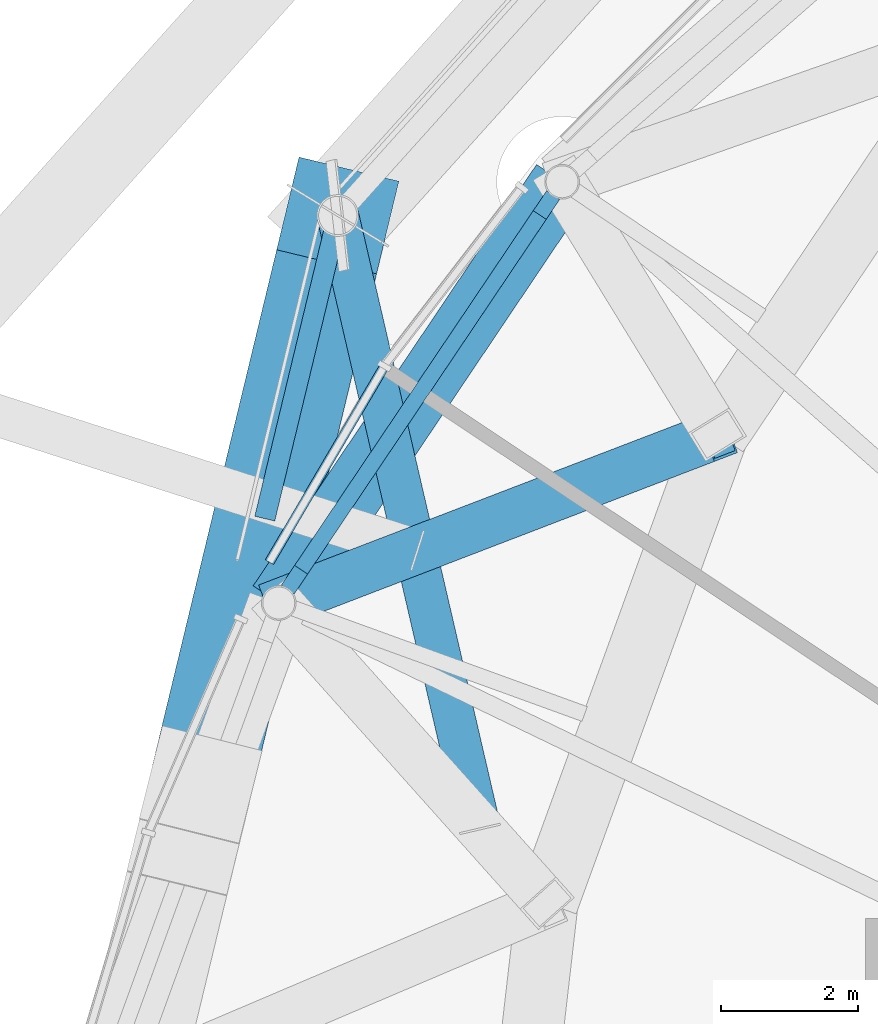
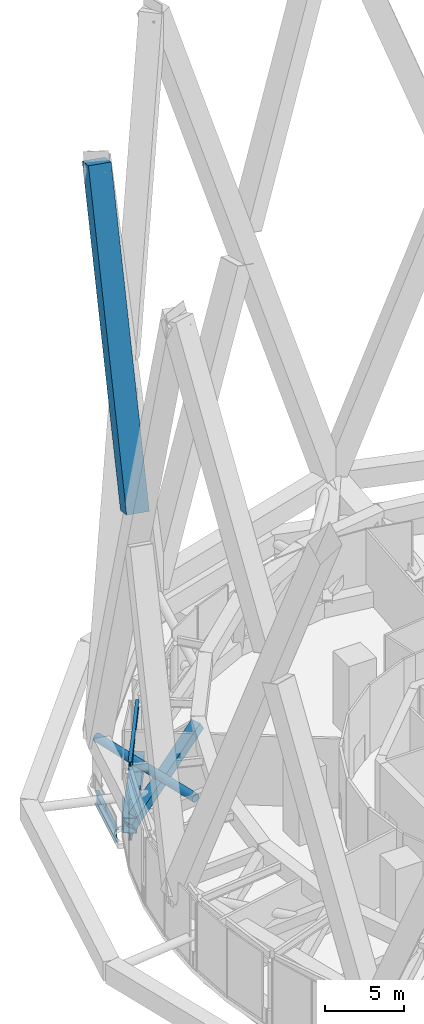
# One storey, part 28 of 49: 5 beams, 3 members, 1 element without a shape of its own.
"""IFC4 building model written with IfcOpenShell, lengths in metres."""

from ifc_helpers import new_model, si_unit, direction, frame, origin, origin_2d, place, context, subcontext, project, spatial, rectangle, hollow_rectangle, hollow_circle, i_section, extrude, material, layer, layer_set, material_profile, profile_set, type_object, element, aggregate, save


model = new_model("IFC4")

# Units and contexts
model_context = context("Model", 3, precision=1e-05, world=origin(), true_north=direction((0.0, 1.0)))
body_context = subcontext(model_context, "Body", "Model", "MODEL_VIEW")
ifc_project = project(units=[si_unit("LENGTHUNIT", "METRE"), si_unit("AREAUNIT", "SQUARE_METRE"), si_unit("VOLUMEUNIT", "CUBIC_METRE"), si_unit("PLANEANGLEUNIT", "RADIAN"), si_unit("MASSUNIT", "GRAM", prefix="KILO")], contexts=[model_context])

# Site, building, storey
site_placement = place(None, origin())
site = spatial("IfcSite", under=ifc_project, at=site_placement, CompositionType="ELEMENT")
building_placement = place(site_placement, origin())
building = spatial("IfcBuilding", under=site, at=building_placement, Name="Nagisa Residences", CompositionType="ELEMENT")
storey_placement = place(building_placement, frame((0.0, 0.0, 160.300048828125)))
storey = spatial("IfcBuildingStorey", under=building, at=storey_placement, Name="L40", CompositionType="ELEMENT", Elevation=160.300048828125)

# Beams
ifc_material_1 = material(Name="Steel ASTM A572 Gr 50", Category="steel")
ifc_material_profile_1 = material_profile(ifc_material_1, hollow_rectangle(XDim=0.89990234375, YDim=1.199951171875, WallThickness=0.044921875, at=origin_2d()), Name="BX 900x1200x45")
ifc_profile_set_1 = profile_set([ifc_material_profile_1], Name="Steel ASTM A572 Gr 50")
beam_type_1 = type_object("IfcBeamType", Name="Belt chord 3 BX 900x1200x45", PredefinedType="BEAM", material=ifc_profile_set_1)
beam_1_placement = place(storey_placement, frame((-20.20947265625, 17.8798828125, 0.599853515625), z_axis=(-0.558184113249, -0.829717117888, 0.0), x_axis=(0.829717117888, -0.558184113249, 0.0)))
element("IfcBeam", 1, at=beam_1_placement, inside=storey, type_object=beam_type_1, Name="beam:L40:bt3b10", PredefinedType="BEAM", context=body_context, shape_type="SweptSolid", body=[
    extrude(hollow_rectangle(XDim=0.89990234375, YDim=1.199951171875, WallThickness=0.044921875, at=origin_2d()), origin(), (0.0, 0.0, 1.0), 7.412353515625),
])
ifc_material_2 = material(Name="Steel ASTM A572 Gr 50", Category="steel")
ifc_material_profile_2 = material_profile(ifc_material_2, hollow_rectangle(XDim=0.699951171875, YDim=0.699951171875, WallThickness=0.0400390625, at=origin_2d()), Name="BX 700x700x40")
ifc_profile_set_2 = profile_set([ifc_material_profile_2], Name="Steel ASTM A572 Gr 50")
beam_type_2 = type_object("IfcBeamType", Name="Belt diagonal 3 BX 700x700x40", PredefinedType="BEAM", material=ifc_profile_set_2)
beam_2_placement = place(storey_placement, frame((-24.346923828125, 11.729736328125, 0.599853515625), z_axis=(0.799322901717, 0.306742791582, 0.516712452534), x_axis=(-0.358277831436, 0.933615014608, 0.0)))
element("IfcBeam", 2, at=beam_2_placement, inside=storey, type_object=beam_type_2, Name="beam:L40:bt3da11", PredefinedType="BEAM", context=body_context, shape_type="SweptSolid", body=[
    extrude(hollow_rectangle(XDim=0.699951171875, YDim=0.699951171875, WallThickness=0.0400390625, at=origin_2d()), origin(), (0.0, 0.0, 1.0), 8.012451171875),
])

# Curtain wall, member
ifc_material_3 = material(Name="Aluminium curtain wall system", Category="aluminium")
ifc_layer = layer(ifc_material_3, 0.159912109375)
ifc_layer_set = layer_set([ifc_layer], Name="CW2 CURTAIN WALL")
curtain_wall_type = type_object("IfcCurtainWallType", Name="CW2 CURTAIN WALL", PredefinedType="NOTDEFINED", material=ifc_layer_set)
curtain_wall_placement = place(storey_placement, origin())
curtain_wall = element("IfcCurtainWall", 3, at=curtain_wall_placement, inside=storey, type_object=curtain_wall_type, Name="cw:CW2:L40:19", PredefinedType="NOTDEFINED")
ifc_material_4 = material(Name="Aluminium", Category="aluminium")
ifc_material_profile_3 = material_profile(ifc_material_4, rectangle(XDim=0.139892578125, YDim=0.179931640625, at=origin_2d()), Name="CW2 TRANSOM 140x180")
ifc_profile_set_3 = profile_set([ifc_material_profile_3], Name="Aluminium")
member_type_1 = type_object("IfcMemberType", Name="CW2 TRANSOM 140x180", PredefinedType="USERDEFINED", material=ifc_profile_set_3)
member_1_placement = place(storey_placement, frame((-22.78271484375, 15.223388671875, 0.08984375), z_axis=(-0.506336911457, -0.862335742096, 0.0), x_axis=(0.862335742096, -0.506336911457, 0.0)))
member_1 = element("IfcMember", 4, at=member_1_placement, type_object=member_type_1, Name="CW2 transom", ObjectType="TRANSOM", PredefinedType="USERDEFINED", context=body_context, shape_type="SweptSolid", body=[
    extrude(rectangle(XDim=0.139892578125, YDim=0.179931640625, at=origin_2d()), origin(), (0.0, 0.0, 1.0), 3.3583984375),
])
aggregate(curtain_wall, [member_1])

# Members
ifc_material_5 = material(Name="Concrete C80", Category="concrete")
ifc_material_profile_4 = material_profile(ifc_material_5, rectangle(XDim=1.5, YDim=1.5, at=origin_2d()), Name="C80 1500x1500")
ifc_profile_set_4 = profile_set([ifc_material_profile_4], Name="Concrete C80")
member_type_2 = type_object("IfcMemberType", Name="Cage diagonal 4 C80 1500x1500", PredefinedType="BRACE", material=ifc_profile_set_4)
member_2_placement = place(storey_placement, frame((-25.487060546875, 9.079345703125, 26.93701171875), z_axis=(0.087370904377, 0.362545040356, 0.92786174551), x_axis=(-0.972167751465, 0.234285857472, 0.0)))
element("IfcMember", 5, at=member_2_placement, inside=storey, type_object=member_type_2, Name="mem:L40:cg4d012b", PredefinedType="BRACE", context=body_context, shape_type="SweptSolid", body=[
    extrude(rectangle(XDim=1.5, YDim=1.5, at=origin_2d()), origin(), (0.0, 0.0, 1.0), 22.916015625),
])
ifc_material_6 = material(Name="Steel ASTM A572 Gr 65", Category="steel")
ifc_material_profile_5 = material_profile(ifc_material_6, hollow_circle(Radius=0.304931640625, WallThickness=0.02490234375, at=origin_2d()), Name="CHS 610x25")
ifc_profile_set_5 = profile_set([ifc_material_profile_5], Name="Steel ASTM A572 Gr 65")
member_type_3 = type_object("IfcMemberType", Name="Cage strut CHS 610x25", PredefinedType="STRUT", material=ifc_profile_set_5)
member_3_placement = place(storey_placement, frame((-23.48486328125, 17.387451171875, 3.699951171875), z_axis=(0.225820976582, -0.974168818294, 0.0), x_axis=(0.974168818294, 0.225820976582, 0.0)))
element("IfcMember", 6, at=member_3_placement, inside=storey, type_object=member_type_3, Name="mem:L40:bt3st4b06", PredefinedType="STRUT", context=body_context, shape_type="SweptSolid", body=[
    extrude(hollow_circle(Radius=0.304931640625, WallThickness=0.02490234375, at=origin_2d()), origin(), (0.0, 0.0, 1.0), 9.1787109375),
])

# Beams
ifc_material_7 = material(Name="Steel ASTM A572 Gr 50", Category="steel")
ifc_material_profile_6 = material_profile(ifc_material_7, i_section(OverallWidth=0.300048828125, OverallDepth=0.97998046875, WebThickness=0.0166015625, FlangeThickness=0.02587890625, at=origin_2d()), Name="W1000x249")
ifc_profile_set_6 = profile_set([ifc_material_profile_6], Name="Steel ASTM A572 Gr 50")
beam_type_3 = type_object("IfcBeamType", Name="Deck edge beam W1000x249", PredefinedType="BEAM", material=ifc_profile_set_6)
beam_3_placement = place(storey_placement, frame((-23.48486328125, 17.387451171875, -0.89013671875), z_axis=(-0.234275343416, -0.972170285221, 0.0), x_axis=(0.972170285221, -0.234275343416, 0.0)))
element("IfcBeam", 7, at=beam_3_placement, inside=storey, type_object=beam_type_3, Name="beam:L40:deckedge06", PredefinedType="BEAM", context=body_context, shape_type="SweptSolid", body=[
    extrude(i_section(OverallWidth=0.300048828125, OverallDepth=0.97998046875, WebThickness=0.0166015625, FlangeThickness=0.02587890625, at=origin_2d()), origin(), (0.0, 0.0, 1.0), 4.552978515625),
])
ifc_material_8 = material(Name="Steel ASTM A572 Gr 50", Category="steel")
ifc_material_profile_7 = material_profile(ifc_material_8, i_section(OverallWidth=0.22802734375, OverallDepth=0.60302734375, WebThickness=0.010498046875, FlangeThickness=0.014892578125, at=origin_2d()), Name="W610x101")
ifc_profile_set_7 = profile_set([ifc_material_profile_7], Name="Steel ASTM A572 Gr 50")
beam_type_4 = type_object("IfcBeamType", Name="Garden edge beam W610x101", PredefinedType="BEAM", material=ifc_profile_set_7)
beam_4_placement = place(storey_placement, frame((-20.340087890625, 17.685791015625, 5.038330078125), z_axis=(-0.558192094532, -0.829711748502, 0.0), x_axis=(0.829711748502, -0.558192094532, 0.0)))
element("IfcBeam", 8, at=beam_4_placement, inside=storey, type_object=beam_type_4, Name="beam:L40:bt3ge10", PredefinedType="BEAM", context=body_context, shape_type="SweptSolid", body=[
    extrude(i_section(OverallWidth=0.22802734375, OverallDepth=0.60302734375, WebThickness=0.010498046875, FlangeThickness=0.014892578125, at=origin_2d()), origin(), (0.0, 0.0, 1.0), 6.9443359375),
])
ifc_material_9 = material(Name="Steel ASTM A572 Gr 50", Category="steel")
ifc_material_profile_8 = material_profile(ifc_material_9, i_section(OverallWidth=0.22802734375, OverallDepth=0.60302734375, WebThickness=0.010498046875, FlangeThickness=0.014892578125, at=origin_2d()), Name="W610x101")
ifc_profile_set_8 = profile_set([ifc_material_profile_8], Name="Steel ASTM A572 Gr 50")
beam_type_5 = type_object("IfcBeamType", Name="Perimeter ring beam W610x101", PredefinedType="BEAM", material=ifc_profile_set_8)
beam_5_placement = place(storey_placement, frame((-20.5361328125, 17.39453125, -0.651611328125), z_axis=(-0.558187951157, -0.82971453596, 0.0), x_axis=(0.82971453596, -0.558187951157, 0.0)))
element("IfcBeam", 9, at=beam_5_placement, inside=storey, type_object=beam_type_5, Name="beam:L40:pb10", PredefinedType="BEAM", context=body_context, shape_type="SweptSolid", body=[
    extrude(i_section(OverallWidth=0.22802734375, OverallDepth=0.60302734375, WebThickness=0.010498046875, FlangeThickness=0.014892578125, at=origin_2d()), origin(), (0.0, 0.0, 1.0), 6.24267578125),
])

save(model, "model.ifc")
